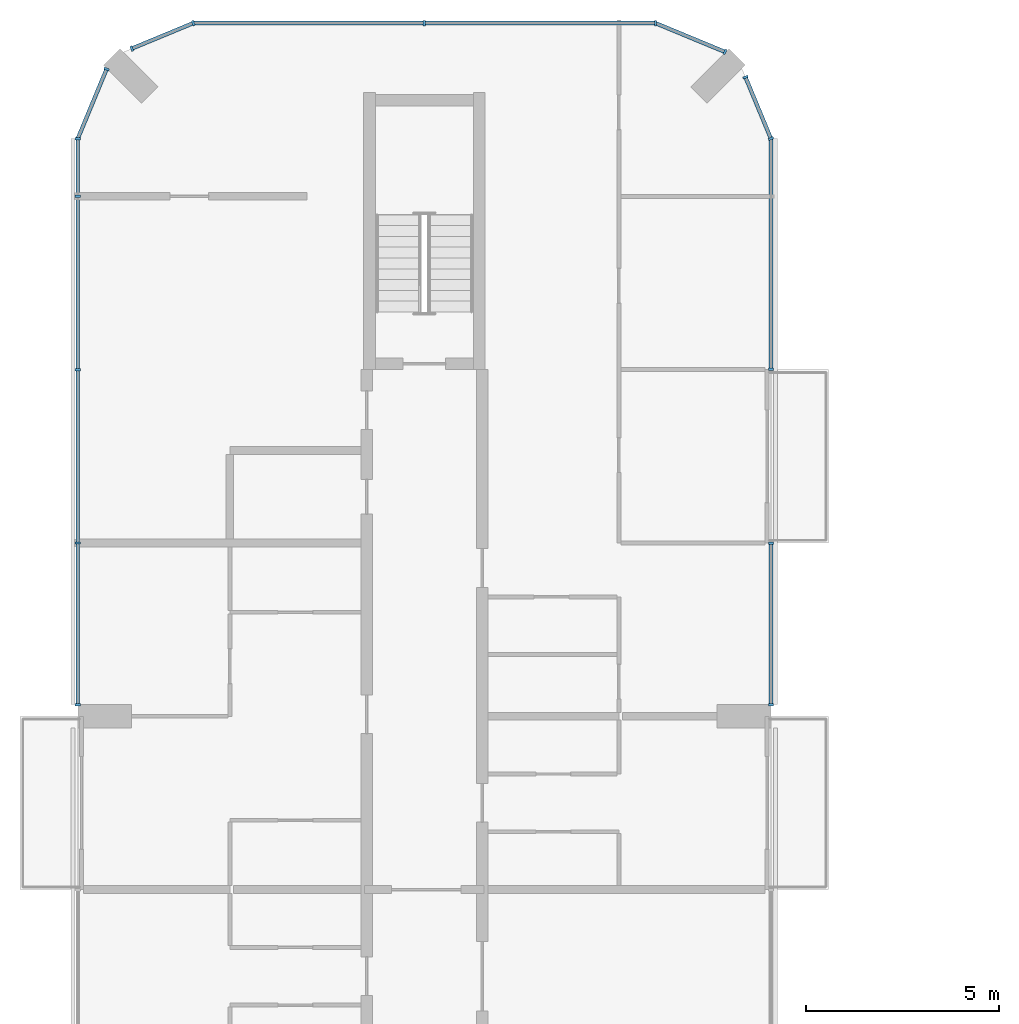
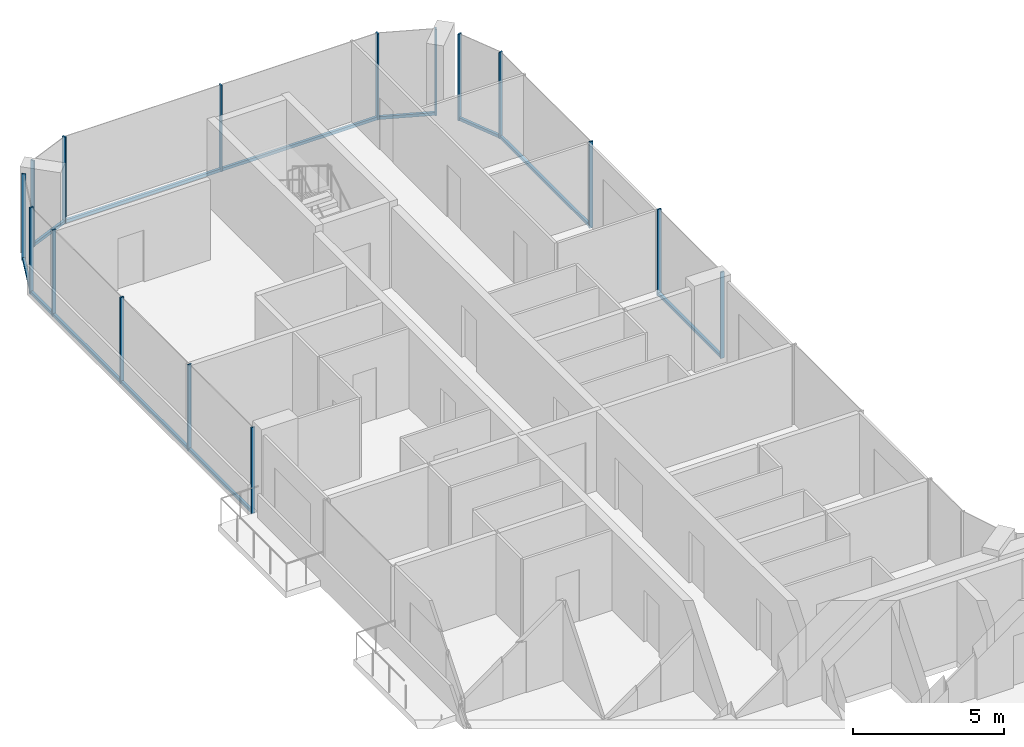
# One storey, part 7 of 17: 24 members, 8 elements without a shape of their own.
"""IFC4 building model written with IfcOpenShell, lengths in metres."""

from ifc_helpers import new_model, si_unit, direction, frame, origin, origin_2d, place, context, subcontext, project, spatial, rectangle, extrude, material, layer, layer_set, material_profile, profile_set, type_object, element, aggregate, save


model = new_model("IFC4")

# Units and contexts
model_context = context("Model", 3, precision=1e-05, world=origin(), true_north=direction((0.0, 1.0)))
body_context = subcontext(model_context, "Body", "Model", "MODEL_VIEW")
ifc_project = project(units=[si_unit("LENGTHUNIT", "METRE"), si_unit("AREAUNIT", "SQUARE_METRE"), si_unit("VOLUMEUNIT", "CUBIC_METRE"), si_unit("PLANEANGLEUNIT", "RADIAN"), si_unit("MASSUNIT", "GRAM", prefix="KILO")], contexts=[model_context])

# Site, building, storey
site_placement = place(None, origin())
site = spatial("IfcSite", under=ifc_project, at=site_placement, CompositionType="ELEMENT")
building_placement = place(site_placement, origin())
building = spatial("IfcBuilding", under=site, at=building_placement, Name="Plateau Cross Towers", CompositionType="ELEMENT")
storey_placement = place(building_placement, frame((0.0, 0.0, 146.39990234375)))
storey = spatial("IfcBuildingStorey", under=building, at=storey_placement, Name="L37", CompositionType="ELEMENT", Elevation=146.39990234375)

# Curtain wall, members
ifc_material_1 = material(Name="Dark low-iron glass", Category="glass")
ifc_layer = layer(ifc_material_1, 0.239990234375)
ifc_layer_set = layer_set([ifc_layer], Name="Dark low-iron glass")
curtain_wall_type = type_object("IfcCurtainWallType", Name="Curtain wall flush unitised CW-B", PredefinedType="NOTDEFINED", material=ifc_layer_set)
curtain_wall_1_placement = place(storey_placement, origin())
curtain_wall_1 = element("IfcCurtainWall", 1, at=curtain_wall_1_placement, inside=storey, type_object=curtain_wall_type, Name="ENV/A/L37/A180_363", PredefinedType="NOTDEFINED")
ifc_material_2 = material(Name="Black anodised aluminium", Category="aluminium")
ifc_material_profile_1 = material_profile(ifc_material_2, rectangle(XDim=0.06005859375, YDim=0.139892578125, at=origin_2d()), Name="MULLION 60x140")
ifc_profile_set_1 = profile_set([ifc_material_profile_1], Name="Black anodised aluminium")
member_type_1 = type_object("IfcMemberType", Name="Mullion 60x140 flush unitised", PredefinedType="MULLION", material=ifc_profile_set_1)
member_1_placement = place(storey_placement, frame((18.0, 36.300048828125, -0.25), z_axis=(0.0, 0.0, 1.0), x_axis=(0.0, 1.0, 0.0)))
member_1 = element("IfcMember", 2, at=member_1_placement, type_object=member_type_1, Name="CW-B mullion 1", PredefinedType="MULLION", context=body_context, shape_type="SweptSolid", body=[
    extrude(rectangle(XDim=0.06005859375, YDim=0.139892578125, at=origin_2d()), origin(), (0.0, 0.0, 1.0), 3.5),
])
member_2_placement = place(storey_placement, frame((18.0, 40.489990234375, -0.25), z_axis=(0.0, 0.0, 1.0), x_axis=(0.0, 1.0, 0.0)))
member_2 = element("IfcMember", 3, at=member_2_placement, type_object=member_type_1, Name="CW-B mullion 2", PredefinedType="MULLION", context=body_context, shape_type="SweptSolid", body=[
    extrude(rectangle(XDim=0.06005859375, YDim=0.139892578125, at=origin_2d()), origin(), (0.0, 0.0, 1.0), 3.5),
])

# Curtain wall, member
curtain_wall_2_placement = place(storey_placement, origin())
curtain_wall_2 = element("IfcCurtainWall", 4, at=curtain_wall_2_placement, inside=storey, type_object=curtain_wall_type, Name="ENV/A/L37/A180_450", PredefinedType="NOTDEFINED")
member_3_placement = place(storey_placement, frame((18.0, 45.010009765625, -0.25), z_axis=(0.0, 0.0, 1.0), x_axis=(0.0, 1.0, 0.0)))
member_3 = element("IfcMember", 5, at=member_3_placement, type_object=member_type_1, Name="CW-B mullion 1", PredefinedType="MULLION", context=body_context, shape_type="SweptSolid", body=[
    extrude(rectangle(XDim=0.06005859375, YDim=0.139892578125, at=origin_2d()), origin(), (0.0, 0.0, 1.0), 3.5),
])

# Curtain wall, members
curtain_wall_3_placement = place(storey_placement, origin())
curtain_wall_3 = element("IfcCurtainWall", 6, at=curtain_wall_3_placement, inside=storey, type_object=curtain_wall_type, Name="ENV/A/L37/A180_510", PredefinedType="NOTDEFINED")
member_4_placement = place(storey_placement, frame((18.0, 51.0, -0.25), z_axis=(0.0, 0.0, 1.0), x_axis=(-0.382683612978, 0.923879457699, 0.0)))
member_4 = element("IfcMember", 7, at=member_4_placement, type_object=member_type_1, Name="CW-B mullion 1", PredefinedType="MULLION", context=body_context, shape_type="SweptSolid", body=[
    extrude(rectangle(XDim=0.06005859375, YDim=0.139892578125, at=origin_2d()), origin(), (0.0, 0.0, 1.0), 3.5),
])
member_5_placement = place(storey_placement, frame((17.338623046875, 52.5966796875, -0.25), z_axis=(0.0, 0.0, 1.0), x_axis=(-0.382683612978, 0.923879457699, 0.0)))
member_5 = element("IfcMember", 8, at=member_5_placement, type_object=member_type_1, Name="CW-B mullion 2", PredefinedType="MULLION", context=body_context, shape_type="SweptSolid", body=[
    extrude(rectangle(XDim=0.06005859375, YDim=0.139892578125, at=origin_2d()), origin(), (0.0, 0.0, 1.0), 3.5),
])

# Curtain wall, member
curtain_wall_4_placement = place(storey_placement, origin())
curtain_wall_4 = element("IfcCurtainWall", 9, at=curtain_wall_4_placement, inside=storey, type_object=curtain_wall_type, Name="ENV/A/L37/A168_533", PredefinedType="NOTDEFINED")
member_6_placement = place(storey_placement, frame((16.805908203125, 53.251953125, -0.25), z_axis=(0.0, 0.0, 1.0), x_axis=(-0.923879457699, 0.382683612978, 0.0)))
member_6 = element("IfcMember", 10, at=member_6_placement, type_object=member_type_1, Name="CW-B mullion 1", PredefinedType="MULLION", context=body_context, shape_type="SweptSolid", body=[
    extrude(rectangle(XDim=0.06005859375, YDim=0.139892578125, at=origin_2d()), origin(), (0.0, 0.0, 1.0), 3.5),
])

# Curtain wall, members
curtain_wall_5_placement = place(storey_placement, origin())
curtain_wall_5 = element("IfcCurtainWall", 11, at=curtain_wall_5_placement, inside=storey, type_object=curtain_wall_type, Name="ENV/A/L37/A150_540", PredefinedType="NOTDEFINED")
member_7_placement = place(storey_placement, frame((15.0, 54.0, -0.25), z_axis=(0.0, 0.0, 1.0), x_axis=(-1.0, 0.0, 0.0)))
member_7 = element("IfcMember", 12, at=member_7_placement, type_object=member_type_1, Name="CW-B mullion 1", PredefinedType="MULLION", context=body_context, shape_type="SweptSolid", body=[
    extrude(rectangle(XDim=0.06005859375, YDim=0.139892578125, at=origin_2d()), origin(), (0.0, 0.0, 1.0), 3.5),
])
member_8_placement = place(storey_placement, frame((9.0, 54.0, -0.25), z_axis=(0.0, 0.0, 1.0), x_axis=(-1.0, 0.0, 0.0)))
member_8 = element("IfcMember", 13, at=member_8_placement, type_object=member_type_1, Name="CW-B mullion 2", PredefinedType="MULLION", context=body_context, shape_type="SweptSolid", body=[
    extrude(rectangle(XDim=0.06005859375, YDim=0.139892578125, at=origin_2d()), origin(), (0.0, 0.0, 1.0), 3.5),
])

curtain_wall_6_placement = place(storey_placement, origin())
curtain_wall_6 = element("IfcCurtainWall", 14, at=curtain_wall_6_placement, inside=storey, type_object=curtain_wall_type, Name="ENV/A/L37/A30_540", PredefinedType="NOTDEFINED")
member_9_placement = place(storey_placement, frame((3.0, 54.0, -0.25), z_axis=(0.0, 0.0, 1.0), x_axis=(-0.923879457699, -0.382683612978, 0.0)))
member_9 = element("IfcMember", 15, at=member_9_placement, type_object=member_type_1, Name="CW-B mullion 1", PredefinedType="MULLION", context=body_context, shape_type="SweptSolid", body=[
    extrude(rectangle(XDim=0.06005859375, YDim=0.139892578125, at=origin_2d()), origin(), (0.0, 0.0, 1.0), 3.5),
])
member_10_placement = place(storey_placement, frame((1.4033203125, 53.338623046875, -0.25), z_axis=(0.0, 0.0, 1.0), x_axis=(-0.923879457699, -0.382683612978, 0.0)))
member_10 = element("IfcMember", 16, at=member_10_placement, type_object=member_type_1, Name="CW-B mullion 2", PredefinedType="MULLION", context=body_context, shape_type="SweptSolid", body=[
    extrude(rectangle(XDim=0.06005859375, YDim=0.139892578125, at=origin_2d()), origin(), (0.0, 0.0, 1.0), 3.5),
])

# Curtain wall, member
curtain_wall_7_placement = place(storey_placement, origin())
curtain_wall_7 = element("IfcCurtainWall", 17, at=curtain_wall_7_placement, inside=storey, type_object=curtain_wall_type, Name="ENV/A/L37/A7_528", PredefinedType="NOTDEFINED")
member_11_placement = place(storey_placement, frame((0.748046875, 52.805908203125, -0.25), z_axis=(0.0, 0.0, 1.0), x_axis=(-0.382683612978, -0.923879457699, 0.0)))
member_11 = element("IfcMember", 18, at=member_11_placement, type_object=member_type_1, Name="CW-B mullion 1", PredefinedType="MULLION", context=body_context, shape_type="SweptSolid", body=[
    extrude(rectangle(XDim=0.06005859375, YDim=0.139892578125, at=origin_2d()), origin(), (0.0, 0.0, 1.0), 3.5),
])

# Curtain wall, members
curtain_wall_8_placement = place(storey_placement, origin())
curtain_wall_8 = element("IfcCurtainWall", 19, at=curtain_wall_8_placement, inside=storey, type_object=curtain_wall_type, Name="ENV/A/L37/A0_510", PredefinedType="NOTDEFINED")
member_12_placement = place(storey_placement, frame((0.0, 51.0, -0.25), z_axis=(0.0, 0.0, 1.0), x_axis=(0.0, -1.0, 0.0)))
member_12 = element("IfcMember", 20, at=member_12_placement, type_object=member_type_1, Name="CW-B mullion 1", PredefinedType="MULLION", context=body_context, shape_type="SweptSolid", body=[
    extrude(rectangle(XDim=0.06005859375, YDim=0.139892578125, at=origin_2d()), origin(), (0.0, 0.0, 1.0), 3.5),
])
member_13_placement = place(storey_placement, frame((0.0, 49.5, -0.25), z_axis=(0.0, 0.0, 1.0), x_axis=(0.0, -1.0, 0.0)))
member_13 = element("IfcMember", 21, at=member_13_placement, type_object=member_type_1, Name="CW-B mullion 2", PredefinedType="MULLION", context=body_context, shape_type="SweptSolid", body=[
    extrude(rectangle(XDim=0.06005859375, YDim=0.139892578125, at=origin_2d()), origin(), (0.0, 0.0, 1.0), 3.5),
])
member_14_placement = place(storey_placement, frame((0.0, 45.0, -0.25), z_axis=(0.0, 0.0, 1.0), x_axis=(0.0, -1.0, 0.0)))
member_14 = element("IfcMember", 22, at=member_14_placement, type_object=member_type_1, Name="CW-B mullion 3", PredefinedType="MULLION", context=body_context, shape_type="SweptSolid", body=[
    extrude(rectangle(XDim=0.06005859375, YDim=0.139892578125, at=origin_2d()), origin(), (0.0, 0.0, 1.0), 3.5),
])
member_15_placement = place(storey_placement, frame((0.0, 40.5, -0.25), z_axis=(0.0, 0.0, 1.0), x_axis=(0.0, -1.0, 0.0)))
member_15 = element("IfcMember", 23, at=member_15_placement, type_object=member_type_1, Name="CW-B mullion 4", PredefinedType="MULLION", context=body_context, shape_type="SweptSolid", body=[
    extrude(rectangle(XDim=0.06005859375, YDim=0.139892578125, at=origin_2d()), origin(), (0.0, 0.0, 1.0), 3.5),
])
member_16_placement = place(storey_placement, frame((0.0, 36.300048828125, -0.25), z_axis=(0.0, 0.0, 1.0), x_axis=(0.0, -1.0, 0.0)))
member_16 = element("IfcMember", 24, at=member_16_placement, type_object=member_type_1, Name="CW-B mullion 5", PredefinedType="MULLION", context=body_context, shape_type="SweptSolid", body=[
    extrude(rectangle(XDim=0.06005859375, YDim=0.139892578125, at=origin_2d()), origin(), (0.0, 0.0, 1.0), 3.5),
])

# Member
ifc_material_profile_2 = material_profile(ifc_material_2, rectangle(XDim=0.10009765625, YDim=0.1201171875, at=origin_2d()), Name="TRANSOM 100x120")
ifc_profile_set_2 = profile_set([ifc_material_profile_2], Name="Black anodised aluminium")
member_type_2 = type_object("IfcMemberType", Name="Transom 100x120 flush unitised", PredefinedType="USERDEFINED", material=ifc_profile_set_2)
member_17_placement = place(storey_placement, frame((18.0, 36.300048828125, -0.18994140625), z_axis=(0.0, 1.0, 0.0), x_axis=(-1.0, 0.0, 0.0)))
member_17 = element("IfcMember", 25, at=member_17_placement, type_object=member_type_2, Name="CW-B transom", ObjectType="TRANSOM", PredefinedType="USERDEFINED", context=body_context, shape_type="SweptSolid", body=[
    extrude(rectangle(XDim=0.10009765625, YDim=0.1201171875, at=origin_2d()), origin(), (0.0, 0.0, 1.0), 4.18994140625),
])

aggregate(curtain_wall_1, [member_1, member_2, member_17])

member_18_placement = place(storey_placement, frame((18.0, 45.010009765625, -0.18994140625), z_axis=(0.0, 1.0, 0.0), x_axis=(-1.0, 0.0, 0.0)))
member_18 = element("IfcMember", 26, at=member_18_placement, type_object=member_type_2, Name="CW-B transom", ObjectType="TRANSOM", PredefinedType="USERDEFINED", context=body_context, shape_type="SweptSolid", body=[
    extrude(rectangle(XDim=0.10009765625, YDim=0.1201171875, at=origin_2d()), origin(), (0.0, 0.0, 1.0), 5.989990234375),
])

aggregate(curtain_wall_2, [member_3, member_18])

member_19_placement = place(storey_placement, frame((18.0, 51.0, -0.18994140625), z_axis=(-0.382688653628, 0.923877369776, 0.0), x_axis=(-0.923877369776, -0.382688653628, 0.0)))
member_19 = element("IfcMember", 27, at=member_19_placement, type_object=member_type_2, Name="CW-B transom", ObjectType="TRANSOM", PredefinedType="USERDEFINED", context=body_context, shape_type="SweptSolid", body=[
    extrude(rectangle(XDim=0.10009765625, YDim=0.1201171875, at=origin_2d()), origin(), (0.0, 0.0, 1.0), 1.728271484375),
])

aggregate(curtain_wall_3, [member_4, member_5, member_19])

member_20_placement = place(storey_placement, frame((16.805908203125, 53.251953125, -0.18994140625), z_axis=(-0.92387678234, 0.382690071798, 0.0), x_axis=(-0.382690071798, -0.92387678234, 0.0)))
member_20 = element("IfcMember", 28, at=member_20_placement, type_object=member_type_2, Name="CW-B transom", ObjectType="TRANSOM", PredefinedType="USERDEFINED", context=body_context, shape_type="SweptSolid", body=[
    extrude(rectangle(XDim=0.10009765625, YDim=0.1201171875, at=origin_2d()), origin(), (0.0, 0.0, 1.0), 1.95458984375),
])

aggregate(curtain_wall_4, [member_6, member_20])

member_21_placement = place(storey_placement, frame((15.0, 54.0, -0.18994140625), z_axis=(-1.0, 0.0, 0.0), x_axis=(0.0, -1.0, 0.0)))
member_21 = element("IfcMember", 29, at=member_21_placement, type_object=member_type_2, Name="CW-B transom", ObjectType="TRANSOM", PredefinedType="USERDEFINED", context=body_context, shape_type="SweptSolid", body=[
    extrude(rectangle(XDim=0.10009765625, YDim=0.1201171875, at=origin_2d()), origin(), (0.0, 0.0, 1.0), 12.0),
])

aggregate(curtain_wall_5, [member_7, member_8, member_21])

member_22_placement = place(storey_placement, frame((3.0, 54.0, -0.18994140625), z_axis=(-0.923877369776, -0.382688653628, 0.0), x_axis=(0.382688653628, -0.923877369776, 0.0)))
member_22 = element("IfcMember", 30, at=member_22_placement, type_object=member_type_2, Name="CW-B transom", ObjectType="TRANSOM", PredefinedType="USERDEFINED", context=body_context, shape_type="SweptSolid", body=[
    extrude(rectangle(XDim=0.10009765625, YDim=0.1201171875, at=origin_2d()), origin(), (0.0, 0.0, 1.0), 1.728271484375),
])

aggregate(curtain_wall_6, [member_9, member_10, member_22])

member_23_placement = place(storey_placement, frame((0.748046875, 52.805908203125, -0.18994140625), z_axis=(-0.382690071798, -0.92387678234, 0.0), x_axis=(0.92387678234, -0.382690071798, 0.0)))
member_23 = element("IfcMember", 31, at=member_23_placement, type_object=member_type_2, Name="CW-B transom", ObjectType="TRANSOM", PredefinedType="USERDEFINED", context=body_context, shape_type="SweptSolid", body=[
    extrude(rectangle(XDim=0.10009765625, YDim=0.1201171875, at=origin_2d()), origin(), (0.0, 0.0, 1.0), 1.95458984375),
])

aggregate(curtain_wall_7, [member_11, member_23])

member_24_placement = place(storey_placement, frame((0.0, 51.0, -0.18994140625), z_axis=(0.0, -1.0, 0.0), x_axis=(1.0, 0.0, 0.0)))
member_24 = element("IfcMember", 32, at=member_24_placement, type_object=member_type_2, Name="CW-B transom", ObjectType="TRANSOM", PredefinedType="USERDEFINED", context=body_context, shape_type="SweptSolid", body=[
    extrude(rectangle(XDim=0.10009765625, YDim=0.1201171875, at=origin_2d()), origin(), (0.0, 0.0, 1.0), 14.699951171875),
])

aggregate(curtain_wall_8, [member_12, member_13, member_14, member_15, member_16, member_24])

save(model, "model.ifc")
